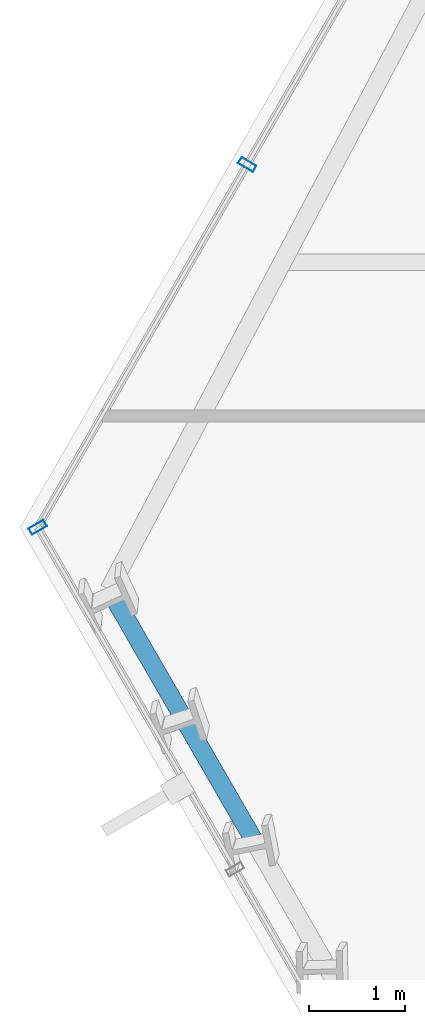
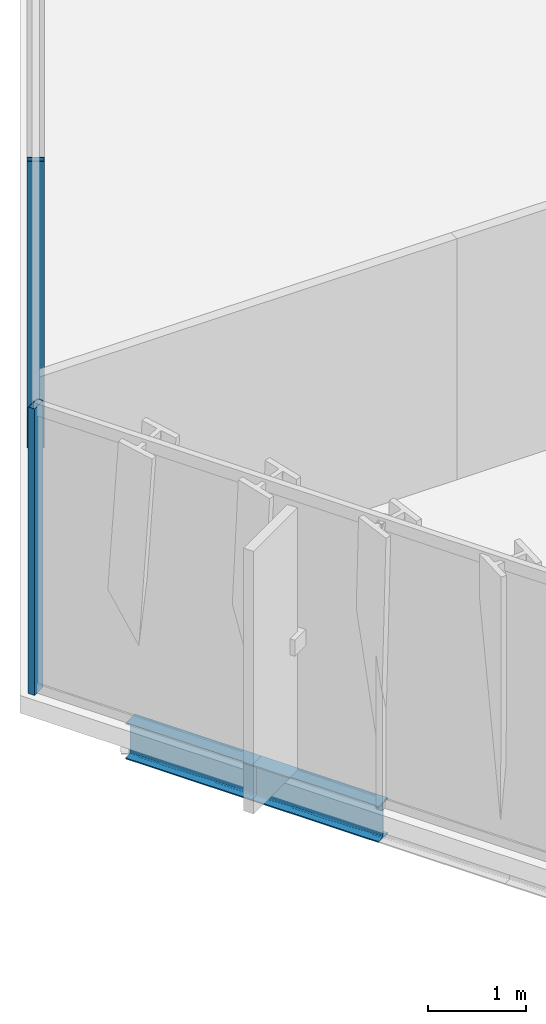
# One storey, part 5 of 32: 2 beams, 2 members, 2 elements without a shape of their own.
"""IFC4 building model written with IfcOpenShell, lengths in metres."""

from ifc_helpers import new_model, si_unit, direction, frame, origin, origin_2d, place, context, subcontext, project, spatial, hollow_rectangle, i_section, extrude, material, layer, layer_set, material_profile, profile_set, type_object, element, aggregate, save


model = new_model("IFC4")

# Units and contexts
model_context = context("Model", 3, precision=1e-05, world=origin(), true_north=direction((0.0, 1.0)))
body_context = subcontext(model_context, "Body", "Model", "MODEL_VIEW")
ifc_project = project(units=[si_unit("LENGTHUNIT", "METRE"), si_unit("AREAUNIT", "SQUARE_METRE"), si_unit("VOLUMEUNIT", "CUBIC_METRE"), si_unit("PLANEANGLEUNIT", "RADIAN"), si_unit("MASSUNIT", "GRAM", prefix="KILO")], contexts=[model_context])

# Site, building, storey
site_placement = place(None, origin())
site = spatial("IfcSite", under=ifc_project, at=site_placement, CompositionType="ELEMENT")
building_placement = place(site_placement, origin())
building = spatial("IfcBuilding", under=site, at=building_placement, Name="Ndaravel Arena Tower", CompositionType="ELEMENT")
storey_placement = place(building_placement, frame((0.0, 0.0, 134.60009765625)))
storey = spatial("IfcBuildingStorey", under=building, at=storey_placement, Name="L31", CompositionType="ELEMENT", Elevation=134.60009765625)

# Beams
ifc_material_1 = material(Name="Steel S355", Category="steel")
ifc_material_profile_1 = material_profile(ifc_material_1, i_section(OverallWidth=0.18994140625, OverallDepth=0.449951171875, WebThickness=0.009521484375, FlangeThickness=0.0146484375, FilletRadius=0.02099609375, at=origin_2d()), Name="IPE 450")
ifc_profile_set_1 = profile_set([ifc_material_profile_1], Name="Steel S355")
beam_type = type_object("IfcBeamType", Name="BM-SPAN-IPE450", PredefinedType="SPANDREL", material=ifc_profile_set_1)
beam_1_placement = place(storey_placement, frame((19.132080078125, 15.193603515625, -0.445068359375), z_axis=(0.500019200167, -0.866014318279, 0.0), x_axis=(0.866014318279, 0.500019200167, 0.0)))
element("IfcBeam", 1, at=beam_1_placement, inside=storey, type_object=beam_type, Name="L31 Perimeter Spandrel Beam SP-20", PredefinedType="SPANDREL", context=body_context, shape_type="SweptSolid", body=[
    extrude(i_section(OverallWidth=0.18994140625, OverallDepth=0.449951171875, WebThickness=0.009521484375, FlangeThickness=0.0146484375, FilletRadius=0.02099609375, at=origin_2d()), origin(), (0.0, 0.0, 1.0), 1.49560546875),
])
beam_2_placement = place(storey_placement, frame((19.8798828125, 13.8984375, -0.445068359375), z_axis=(0.499896754619, -0.866085004328, 0.0), x_axis=(0.866085004328, 0.499896754619, 0.0)))
element("IfcBeam", 2, at=beam_2_placement, inside=storey, type_object=beam_type, Name="L31 Perimeter Spandrel Beam SP-21", PredefinedType="SPANDREL", context=body_context, shape_type="SweptSolid", body=[
    extrude(i_section(OverallWidth=0.18994140625, OverallDepth=0.449951171875, WebThickness=0.009521484375, FlangeThickness=0.0146484375, FilletRadius=0.02099609375, at=origin_2d()), origin(), (0.0, 0.0, 1.0), 1.495361328125),
])

# Curtain wall, member
ifc_material_2 = material(Name="Aluminium", Category="aluminium")
ifc_layer_1 = layer(ifc_material_2, 0.179931640625)
ifc_layer_set_1 = layer_set([ifc_layer_1], Name="Aluminium")
curtain_wall_type_1 = type_object("IfcCurtainWallType", Name="CW-SYS-03", PredefinedType="NOTDEFINED", material=ifc_layer_set_1)
curtain_wall_1_placement = place(storey_placement, origin())
curtain_wall_1 = element("IfcCurtainWall", 3, at=curtain_wall_1_placement, inside=storey, type_object=curtain_wall_type_1, Name="L31 Faceted Crystal Curtain Wall CW-L31-E05", PredefinedType="NOTDEFINED")
ifc_material_3 = material(Name="Aluminium", Category="aluminium")
ifc_material_profile_2 = material_profile(ifc_material_3, hollow_rectangle(XDim=0.074951171875, YDim=0.179931640625, WallThickness=0.00390625, at=origin_2d()), Name="CW MULLION 75x180x4")
ifc_profile_set_2 = profile_set([ifc_material_profile_2], Name="Aluminium")
member_type = type_object("IfcMemberType", Name="MEM-CW-MUL180", PredefinedType="MULLION", material=ifc_profile_set_2)
member_1_placement = place(storey_placement, frame((20.5693359375, 19.617919921875, 0.0), z_axis=(0.0, 0.0, 1.0), x_axis=(-0.5, -0.866025403784, 0.0)))
member_1 = element("IfcMember", 4, at=member_1_placement, type_object=member_type, Name="CW-L31-E05 Mullion 07", PredefinedType="MULLION", context=body_context, shape_type="SweptSolid", body=[
    extrude(hollow_rectangle(XDim=0.074951171875, YDim=0.179931640625, WallThickness=0.00390625, at=origin_2d()), origin(), (0.0, 0.0, 1.0), 3.579833984375),
])
aggregate(curtain_wall_1, [member_1])

ifc_material_4 = material(Name="Aluminium", Category="aluminium")
ifc_layer_2 = layer(ifc_material_4, 0.179931640625)
ifc_layer_set_2 = layer_set([ifc_layer_2], Name="Aluminium")
curtain_wall_type_2 = type_object("IfcCurtainWallType", Name="CW-SYS-02", PredefinedType="NOTDEFINED", material=ifc_layer_set_2)
curtain_wall_2_placement = place(storey_placement, origin())
curtain_wall_2 = element("IfcCurtainWall", 5, at=curtain_wall_2_placement, inside=storey, type_object=curtain_wall_type_2, Name="L31 Faceted Crystal Curtain Wall CW-L31-E06", PredefinedType="NOTDEFINED")
member_2_placement = place(storey_placement, frame((18.388671875, 15.841064453125, 0.0), z_axis=(0.0, 0.0, 1.0), x_axis=(0.5, -0.866025403784, 0.0)))
member_2 = element("IfcMember", 6, at=member_2_placement, type_object=member_type, Name="CW-L31-E06 Mullion 00", PredefinedType="MULLION", context=body_context, shape_type="SweptSolid", body=[
    extrude(hollow_rectangle(XDim=0.074951171875, YDim=0.179931640625, WallThickness=0.00390625, at=origin_2d()), origin(), (0.0, 0.0, 1.0), 3.579833984375),
])
aggregate(curtain_wall_2, [member_2])

save(model, "model.ifc")
